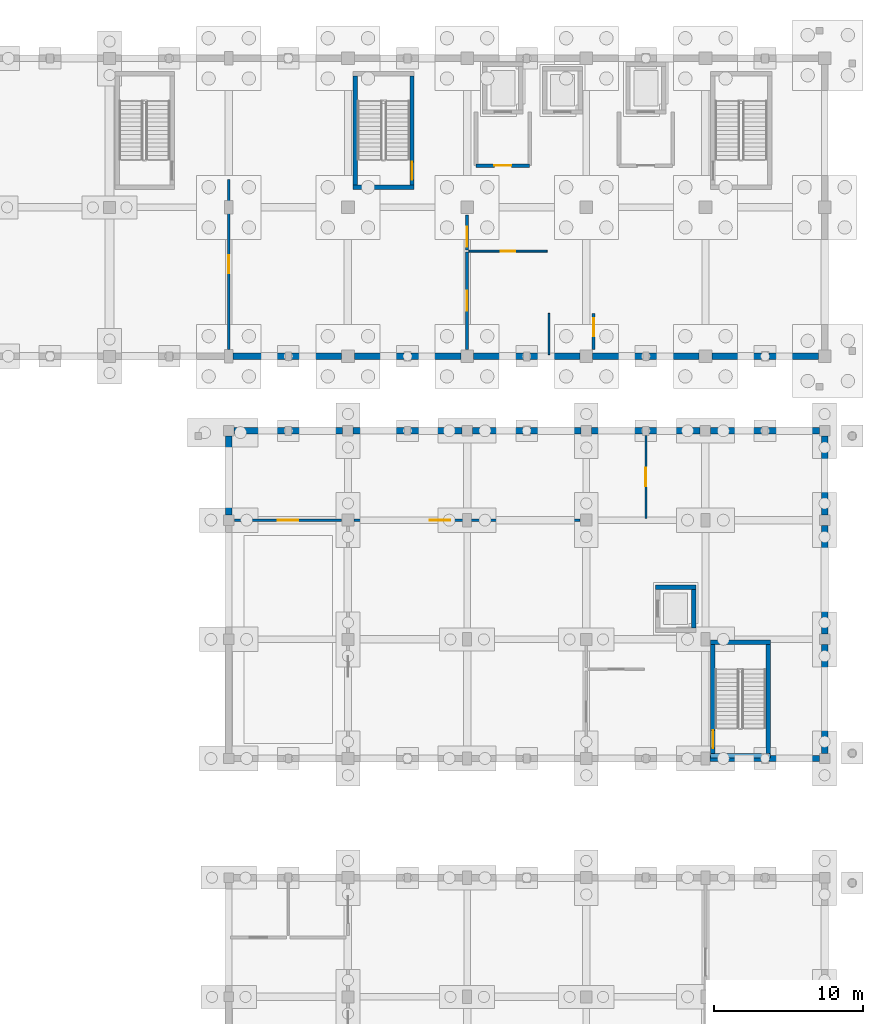
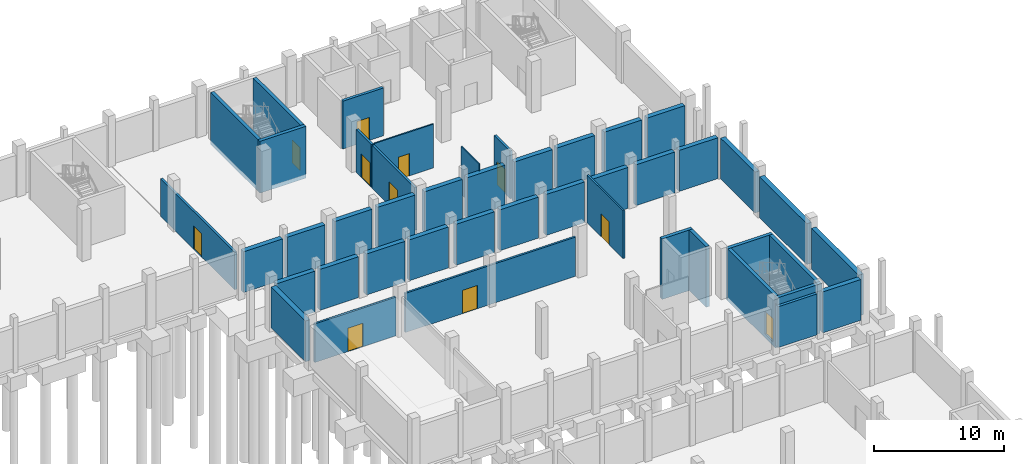
# One storey, part 33 of 52: 45 walls, 11 doors, 11 openings.
"""IFC4 building model written with IfcOpenShell, lengths in metres."""

from ifc_helpers import new_model, si_unit, direction, frame, frame_2d, origin, place, context, subcontext, project, spatial, rectangle, extrude, material, layer, layer_set, type_object, element, fill, save


model = new_model("IFC4")

# Units and contexts
model_context = context("Model", 3, precision=1e-05, world=origin(), true_north=direction((0.0, 1.0)))
body_context = subcontext(model_context, "Body", "Model", "MODEL_VIEW")
ifc_project = project(units=[si_unit("LENGTHUNIT", "METRE"), si_unit("AREAUNIT", "SQUARE_METRE"), si_unit("VOLUMEUNIT", "CUBIC_METRE"), si_unit("PLANEANGLEUNIT", "RADIAN"), si_unit("MASSUNIT", "GRAM", prefix="KILO")], contexts=[model_context])

# Site, building, storey
site_placement = place(None, origin())
site = spatial("IfcSite", under=ifc_project, at=site_placement, CompositionType="ELEMENT")
building_placement = place(site_placement, origin())
building = spatial("IfcBuilding", under=site, at=building_placement, Name="Luwemba Playhouse", CompositionType="ELEMENT")
storey_placement = place(building_placement, frame((0.0, 0.0, -4.800048828125)))
storey = spatial("IfcBuildingStorey", under=building, at=storey_placement, Name="B1", CompositionType="ELEMENT", Elevation=-4.800048828125)

# Walls
ifc_material_1 = material(Name="Concrete C40/50", Category="concrete")
ifc_layer_1 = layer(ifc_material_1, 0.300048828125)
ifc_layer_set_1 = layer_set([ifc_layer_1], Name="Concrete C40/50")
wall_type_1 = type_object("IfcWallType", Name="WAL-CORE-300", PredefinedType="SHEAR", material=ifc_layer_set_1)
wall_1_placement = place(storey_placement, frame((164.35009765625, 68.18994140625, 3.85009765625), z_axis=(0.0, 0.0, 1.0), x_axis=(1.0, 0.0, 0.0)))
element("IfcWall", 1, at=wall_1_placement, inside=storey, type_object=wall_type_1, Name="B1 ST-07 stair core wall S", PredefinedType="SHEAR", context=body_context, shape_type="SweptSolid", body=[
    extrude(rectangle(XDim=4.0, YDim=0.300048828125, at=frame_2d((2.0, 0.0))), origin(), (0.0, 0.0, 1.0), 0.64990234375),
])
wall_2_placement = place(storey_placement, frame((168.35009765625, 75.81005859375, -0.3798828125), z_axis=(0.0, 0.0, 1.0), x_axis=(-1.0, 0.0, 0.0)))
element("IfcWall", 2, at=wall_2_placement, inside=storey, type_object=wall_type_1, Name="B1 ST-07 stair core wall N", PredefinedType="SHEAR", context=body_context, shape_type="SweptSolid", body=[
    extrude(rectangle(XDim=4.0, YDim=0.300048828125, at=frame_2d((2.0, 0.0))), origin(), (0.0, 0.0, 1.0), 4.8798828125),
])

# Wall, opening, door
wall_3_placement = place(storey_placement, frame((164.5, 75.659912109375, -0.3798828125), z_axis=(0.0, 0.0, 1.0), x_axis=(0.0, -1.0, 0.0)))
wall_3 = element("IfcWall", 3, at=wall_3_placement, inside=storey, type_object=wall_type_1, Name="B1 ST-07 stair core wall W", PredefinedType="SHEAR", context=body_context, shape_type="SweptSolid", body=[
    extrude(rectangle(XDim=7.31982421875, YDim=0.300048828125, at=frame_2d((3.659912109375, 0.0))), origin(), (0.0, 0.0, 1.0), 4.8798828125),
])
opening_1_placement = place(wall_3_placement, frame((5.77001953125, 0.0, 0.3798828125)))
opening_1 = element("IfcOpeningElement", 4, at=opening_1_placement, cuts=wall_3, Name="Opening D-STAIR3", PredefinedType="OPENING", context=body_context, shape_type="SweptSolid", body=[
    extrude(rectangle(XDim=1.199951171875, YDim=2.14990234375, at=frame_2d((0.60009765625, 1.074951171875))), frame((0.0, 0.159912109375, 0.0), z_axis=(0.0, -1.0, 0.0), x_axis=(1.0, 0.0, 0.0)), (0.0, 0.0, 1.0), 0.320068359375),
])
ifc_material_2 = material(Name="Hardwood acoustic fire door leaf", Category="wood")
door_type_1 = type_object("IfcDoorType", Name="DR-STAIR-120", OperationType="NOTDEFINED", PredefinedType="DOOR", material=ifc_material_2)
door_1_placement = place(opening_1_placement, origin())
door_1 = element("IfcDoor", 5, at=door_1_placement, inside=storey, type_object=door_type_1, Name="B1 ST-07 protected stair entry door", OperationType="SINGLE_SWING_RIGHT", OverallHeight=2.14990234375, OverallWidth=1.199951171875, PredefinedType="DOOR", context=body_context, shape_type="SweptSolid", body=[
    extrude(rectangle(XDim=1.199951171875, YDim=2.14990234375, at=frame_2d((0.60009765625, 1.074951171875))), frame((0.0, 0.02490234375, 0.0), z_axis=(0.0, -1.0, 0.0), x_axis=(1.0, 0.0, 0.0)), (0.0, 0.0, 1.0), 0.050048828125),
])
fill(opening_1, door_1)

# Walls
wall_4_placement = place(storey_placement, frame((168.199951171875, 75.659912109375, -0.3798828125), z_axis=(0.0, 0.0, 1.0), x_axis=(0.0, -1.0, 0.0)))
element("IfcWall", 6, at=wall_4_placement, inside=storey, type_object=wall_type_1, Name="B1 ST-07 stair core wall E", PredefinedType="SHEAR", context=body_context, shape_type="SweptSolid", body=[
    extrude(rectangle(XDim=7.31982421875, YDim=0.300048828125, at=frame_2d((3.659912109375, 0.0))), origin(), (0.0, 0.0, 1.0), 4.8798828125),
])
wall_5_placement = place(storey_placement, frame((140.35009765625, 106.35009765625, -0.3798828125), z_axis=(0.0, 0.0, 1.0), x_axis=(1.0, 0.0, 0.0)))
element("IfcWall", 7, at=wall_5_placement, inside=storey, type_object=wall_type_1, Name="B1 ST-09 stair core wall S", PredefinedType="SHEAR", context=body_context, shape_type="SweptSolid", body=[
    extrude(rectangle(XDim=4.099853515625, YDim=0.300048828125, at=frame_2d((2.0498046875, 0.0))), origin(), (0.0, 0.0, 1.0), 4.8798828125),
])
wall_6_placement = place(storey_placement, frame((140.5, 106.5, -0.3798828125), z_axis=(0.0, 0.0, 1.0), x_axis=(0.0, 1.0, 0.0)))
element("IfcWall", 8, at=wall_6_placement, inside=storey, type_object=wall_type_1, Name="B1 ST-09 stair core wall W", PredefinedType="SHEAR", context=body_context, shape_type="SweptSolid", body=[
    extrude(rectangle(XDim=7.320068359375, YDim=0.300048828125, at=frame_2d((3.66015625, 0.0))), origin(), (0.0, 0.0, 1.0), 4.8798828125),
])

# Wall, opening, door
wall_7_placement = place(storey_placement, frame((144.300048828125, 106.5, -0.3798828125), z_axis=(0.0, 0.0, 1.0), x_axis=(0.0, 1.0, 0.0)))
wall_7 = element("IfcWall", 9, at=wall_7_placement, inside=storey, type_object=wall_type_1, Name="B1 ST-09 stair core wall E", PredefinedType="SHEAR", context=body_context, shape_type="SweptSolid", body=[
    extrude(rectangle(XDim=7.320068359375, YDim=0.300048828125, at=frame_2d((3.66015625, 0.0))), origin(), (0.0, 0.0, 1.0), 4.8798828125),
])
opening_2_placement = place(wall_7_placement, frame((0.35009765625, 0.0, 0.3798828125)))
opening_2 = element("IfcOpeningElement", 10, at=opening_2_placement, cuts=wall_7, Name="Opening D-STAIR3", PredefinedType="OPENING", context=body_context, shape_type="SweptSolid", body=[
    extrude(rectangle(XDim=1.199951171875, YDim=2.14990234375, at=frame_2d((0.60009765625, 1.074951171875))), frame((0.0, 0.159912109375, 0.0), z_axis=(0.0, -1.0, 0.0), x_axis=(1.0, 0.0, 0.0)), (0.0, 0.0, 1.0), 0.320068359375),
])
door_2_placement = place(opening_2_placement, origin())
door_2 = element("IfcDoor", 11, at=door_2_placement, inside=storey, type_object=door_type_1, Name="B1 ST-09 protected stair entry door", OperationType="SINGLE_SWING_RIGHT", OverallHeight=2.14990234375, OverallWidth=1.199951171875, PredefinedType="DOOR", context=body_context, shape_type="SweptSolid", body=[
    extrude(rectangle(XDim=1.199951171875, YDim=2.14990234375, at=frame_2d((0.60009765625, 1.074951171875))), frame((0.0, 0.02490234375, 0.0), z_axis=(0.0, -1.0, 0.0), x_axis=(1.0, 0.0, 0.0)), (0.0, 0.0, 1.0), 0.050048828125),
])
fill(opening_2, door_2)

# Walls
wall_8_placement = place(storey_placement, frame((163.35009765625, 79.5, -1.199951171875), z_axis=(0.0, 0.0, 1.0), x_axis=(-1.0, 0.0, 0.0)))
element("IfcWall", 12, at=wall_8_placement, inside=storey, type_object=wall_type_1, Name="B1 Lift LF-P7 shaft wall N", PredefinedType="SHEAR", context=body_context, shape_type="SweptSolid", body=[
    extrude(rectangle(XDim=2.7001953125, YDim=0.300048828125, at=frame_2d((1.35009765625, 0.0))), origin(), (0.0, 0.0, 1.0), 5.699951171875),
])
wall_9_placement = place(storey_placement, frame((163.199951171875, 79.35009765625, -1.199951171875), z_axis=(0.0, 0.0, 1.0), x_axis=(0.0, -1.0, 0.0)))
element("IfcWall", 13, at=wall_9_placement, inside=storey, type_object=wall_type_1, Name="B1 Lift LF-P7 shaft wall E", PredefinedType="SHEAR", context=body_context, shape_type="SweptSolid", body=[
    extrude(rectangle(XDim=2.60009765625, YDim=0.300048828125, at=frame_2d((1.300048828125, 0.0))), origin(), (0.0, 0.0, 1.0), 5.699951171875),
])

# Wall, opening, door
ifc_layer_2 = layer(ifc_material_1, 0.25)
ifc_layer_set_2 = layer_set([ifc_layer_2], Name="Concrete C40/50")
wall_type_2 = type_object("IfcWallType", Name="WAL-FFL-250", PredefinedType="SOLIDWALL", material=ifc_layer_set_2)
wall_10_placement = place(storey_placement, frame((152.199951171875, 107.800048828125, 0.0), z_axis=(0.0, 0.0, 1.0), x_axis=(-1.0, 0.0, 0.0)))
wall_10 = element("IfcWall", 14, at=wall_10_placement, inside=storey, type_object=wall_type_2, Name="B1 LF-FF1 firefighting lift lobby wall S", PredefinedType="SOLIDWALL", context=body_context, shape_type="SweptSolid", body=[
    extrude(rectangle(XDim=3.599853515625, YDim=0.25, at=frame_2d((1.7998046875, 0.0))), origin(), (0.0, 0.0, 1.0), 4.5),
])
opening_3_placement = place(wall_10_placement, frame((1.22509765625, 0.0, 0.0)))
opening_3 = element("IfcOpeningElement", 15, at=opening_3_placement, cuts=wall_10, Name="Opening D-FD60", PredefinedType="OPENING", context=body_context, shape_type="SweptSolid", body=[
    extrude(rectangle(XDim=1.14990234375, YDim=2.14990234375, at=frame_2d((0.574951171875, 1.074951171875))), frame((0.0, 0.135009765625, 0.0), z_axis=(0.0, -1.0, 0.0), x_axis=(1.0, 0.0, 0.0)), (0.0, 0.0, 1.0), 0.27001953125),
])
ifc_material_3 = material(Name="Hardwood smoke-sealed fire door leaf", Category="wood")
door_type_2 = type_object("IfcDoorType", Name="DR-FFL-115", OperationType="NOTDEFINED", PredefinedType="DOOR", material=ifc_material_3)
door_3_placement = place(opening_3_placement, origin())
door_3 = element("IfcDoor", 16, at=door_3_placement, inside=storey, type_object=door_type_2, Name="B1 LF-FF1 firefighting lobby smoke door", OperationType="SINGLE_SWING_LEFT", OverallHeight=2.14990234375, OverallWidth=1.14990234375, PredefinedType="DOOR", context=body_context, shape_type="SweptSolid", body=[
    extrude(rectangle(XDim=1.14990234375, YDim=2.14990234375, at=frame_2d((0.574951171875, 1.074951171875))), frame((0.0, 0.02490234375, 0.0), z_axis=(0.0, -1.0, 0.0), x_axis=(1.0, 0.0, 0.0)), (0.0, 0.0, 1.0), 0.050048828125),
])
fill(opening_3, door_3)

ifc_material_4 = material(Name="Moisture-resistant sanitary partition", Category="gypsum")
ifc_layer_3 = layer(ifc_material_4, 0.1201171875)
ifc_layer_set_3 = layer_set([ifc_layer_3], Name="Moisture-resistant sanitary partition")
wall_type_3 = type_object("IfcWallType", Name="WAL-INT-120", PredefinedType="PARTITIONING", material=ifc_layer_set_3)
wall_11_placement = place(storey_placement, frame((148.1201171875, 102.06005859375, 0.0), z_axis=(0.0, 0.0, 1.0), x_axis=(1.0, 0.0, 0.0)))
wall_11 = element("IfcWall", 17, at=wall_11_placement, inside=storey, type_object=wall_type_3, Name="B1 V6E interior partition 0055", PredefinedType="PARTITIONING", context=body_context, shape_type="SweptSolid", body=[
    extrude(rectangle(XDim=5.259765625, YDim=0.1201171875, at=frame_2d((2.6298828125, 0.0))), origin(), (0.0, 0.0, 1.0), 4.125),
])
opening_4_placement = place(wall_11_placement, frame((2.155029296875, 0.0, 0.0)))
opening_4 = element("IfcOpeningElement", 18, at=opening_4_placement, cuts=wall_11, Name="Opening D-WC1", PredefinedType="OPENING", context=body_context, shape_type="SweptSolid", body=[
    extrude(rectangle(XDim=0.949951171875, YDim=2.10009765625, at=frame_2d((0.47509765625, 1.050048828125))), frame((0.0, 0.070068359375, 0.0), z_axis=(0.0, -1.0, 0.0), x_axis=(1.0, 0.0, 0.0)), (0.0, 0.0, 1.0), 0.14013671875),
])
ifc_material_5 = material(Name="Moisture-resistant laminate door", Category="wood")
door_type_3 = type_object("IfcDoorType", Name="DR-WC-095", OperationType="NOTDEFINED", PredefinedType="DOOR", material=ifc_material_5)
door_4_placement = place(opening_4_placement, origin())
door_4 = element("IfcDoor", 19, at=door_4_placement, inside=storey, type_object=door_type_3, Name="B1 Conservatory Basement Corridor to Conservatory Basement Toilets door", OperationType="SINGLE_SWING_RIGHT", OverallHeight=2.10009765625, OverallWidth=0.949951171875, PredefinedType="DOOR", context=body_context, shape_type="SweptSolid", body=[
    extrude(rectangle(XDim=0.949951171875, YDim=2.10009765625, at=frame_2d((0.47509765625, 1.050048828125))), frame((0.0, 0.02490234375, 0.0), z_axis=(0.0, -1.0, 0.0), x_axis=(1.0, 0.0, 0.0)), (0.0, 0.0, 1.0), 0.050048828125),
])
fill(opening_4, door_4)

# Wall
wall_12_placement = place(storey_placement, frame((153.5, 95.1201171875, 0.0), z_axis=(0.0, 0.0, 1.0), x_axis=(0.0, 1.0, 0.0)))
element("IfcWall", 20, at=wall_12_placement, inside=storey, type_object=wall_type_3, Name="B1 V6E interior partition 0057", PredefinedType="PARTITIONING", context=body_context, shape_type="SweptSolid", body=[
    extrude(rectangle(XDim=2.759765625, YDim=0.1201171875, at=frame_2d((1.3798828125, 0.0))), origin(), (0.0, 0.0, 1.0), 4.5),
])

# Wall, opening, door
ifc_material_6 = material(Name="Acoustic gypsum stud partition", Category="gypsum")
ifc_layer_4 = layer(ifc_material_6, 0.14990234375)
ifc_layer_set_4 = layer_set([ifc_layer_4], Name="Acoustic gypsum stud partition")
wall_type_4 = type_object("IfcWallType", Name="WAL-INT-150", PredefinedType="PARTITIONING", material=ifc_layer_set_4)
wall_13_placement = place(storey_placement, frame((160.0, 84.1201171875, 0.0), z_axis=(0.0, 0.0, 1.0), x_axis=(0.0, 1.0, 0.0)))
wall_13 = element("IfcWall", 21, at=wall_13_placement, inside=storey, type_object=wall_type_4, Name="B1 V4 interior partition 0036", PredefinedType="PARTITIONING", context=body_context, shape_type="SweptSolid", body=[
    extrude(rectangle(XDim=5.559814453125, YDim=0.14990234375, at=frame_2d((2.77978515625, 0.0))), origin(), (0.0, 0.0, 1.0), 4.5),
])
opening_5_placement = place(wall_13_placement, frame((2.155029296875, 0.0, 0.0)))
opening_5 = element("IfcOpeningElement", 22, at=opening_5_placement, cuts=wall_13, Name="Opening D-IN1", PredefinedType="OPENING", context=body_context, shape_type="SweptSolid", body=[
    extrude(rectangle(XDim=1.25, YDim=2.14990234375, at=frame_2d((0.625, 1.074951171875))), frame((0.0, 0.0849609375, 0.0), z_axis=(0.0, -1.0, 0.0), x_axis=(1.0, 0.0, 0.0)), (0.0, 0.0, 1.0), 0.169921875),
])
ifc_material_7 = material(Name="Solid hardwood interior door", Category="wood")
door_type_4 = type_object("IfcDoorType", Name="DR-INT-125", OperationType="NOTDEFINED", PredefinedType="DOOR", material=ifc_material_7)
door_5_placement = place(opening_5_placement, origin())
door_5 = element("IfcDoor", 23, at=door_5_placement, inside=storey, type_object=door_type_4, Name="B1 Experimental Studios Basement Corridor to Lighting and Projection Rig Store door", OperationType="SINGLE_SWING_LEFT", OverallHeight=2.14990234375, OverallWidth=1.25, PredefinedType="DOOR", context=body_context, shape_type="SweptSolid", body=[
    extrude(rectangle(XDim=1.25, YDim=2.14990234375, at=frame_2d((0.625, 1.074951171875))), frame((0.0, 0.02490234375, 0.0), z_axis=(0.0, -1.0, 0.0), x_axis=(1.0, 0.0, 0.0)), (0.0, 0.0, 1.0), 0.050048828125),
])
fill(opening_5, door_5)

ifc_material_8 = material(Name="Double-stud acoustic gypsum partition", Category="gypsum")
ifc_layer_5 = layer(ifc_material_8, 0.179931640625)
ifc_layer_set_5 = layer_set([ifc_layer_5], Name="Double-stud acoustic gypsum partition")
wall_type_5 = type_object("IfcWallType", Name="WAL-INT-180", PredefinedType="PARTITIONING", material=ifc_layer_set_5)
wall_14_placement = place(storey_placement, frame((140.419921875, 84.0, 0.0), z_axis=(0.0, 0.0, 1.0), x_axis=(1.0, 0.0, 0.0)))
wall_14 = element("IfcWall", 24, at=wall_14_placement, inside=storey, type_object=wall_type_5, Name="B1 V4 interior partition 0032", PredefinedType="PARTITIONING", context=body_context, shape_type="SweptSolid", body=[
    extrude(rectangle(XDim=15.16015625, YDim=0.179931640625, at=frame_2d((7.580078125, 0.0))), origin(), (0.0, 0.0, 1.0), 3.68505859375),
])
opening_6_placement = place(wall_14_placement, frame((5.085693359375, 0.0, 0.0)))
opening_6 = element("IfcOpeningElement", 25, at=opening_6_placement, cuts=wall_14, Name="Opening D-STU1", PredefinedType="OPENING", context=body_context, shape_type="SweptSolid", body=[
    extrude(rectangle(XDim=1.35009765625, YDim=2.199951171875, at=frame_2d((0.675048828125, 1.10009765625))), frame((0.0, 0.099853515625, 0.0), z_axis=(0.0, -1.0, 0.0), x_axis=(1.0, 0.0, 0.0)), (0.0, 0.0, 1.0), 0.199951171875),
])
ifc_material_9 = material(Name="Acoustic studio door", Category="wood")
door_type_5 = type_object("IfcDoorType", Name="DR-STU-135", OperationType="NOTDEFINED", PredefinedType="DOOR", material=ifc_material_9)
door_6_placement = place(opening_6_placement, origin())
door_6 = element("IfcDoor", 26, at=door_6_placement, inside=storey, type_object=door_type_5, Name="B1 Cinema Foley and Dubbing Stage to Experimental Studios Basement Corridor door", OperationType="SINGLE_SWING_RIGHT", OverallHeight=2.199951171875, OverallWidth=1.35009765625, PredefinedType="DOOR", context=body_context, shape_type="SweptSolid", body=[
    extrude(rectangle(XDim=1.35009765625, YDim=2.199951171875, at=frame_2d((0.675048828125, 1.10009765625))), frame((0.0, 0.02490234375, 0.0), z_axis=(0.0, -1.0, 0.0), x_axis=(1.0, 0.0, 0.0)), (0.0, 0.0, 1.0), 0.050048828125),
])
fill(opening_6, door_6)

wall_15_placement = place(storey_placement, frame((132.3701171875, 84.0, 0.0), z_axis=(0.0, 0.0, 1.0), x_axis=(1.0, 0.0, 0.0)))
wall_15 = element("IfcWall", 27, at=wall_15_placement, inside=storey, type_object=wall_type_5, Name="B1 V4 interior partition 0035", PredefinedType="PARTITIONING", context=body_context, shape_type="SweptSolid", body=[
    extrude(rectangle(XDim=7.2099609375, YDim=0.179931640625, at=frame_2d((3.60498046875, 0.0))), origin(), (0.0, 0.0, 1.0), 3.635009765625),
])
opening_7_placement = place(wall_15_placement, frame((2.929931640625, 0.0, 0.0)))
opening_7 = element("IfcOpeningElement", 28, at=opening_7_placement, cuts=wall_15, Name="Opening D-STU1", PredefinedType="OPENING", context=body_context, shape_type="SweptSolid", body=[
    extrude(rectangle(XDim=1.35009765625, YDim=2.199951171875, at=frame_2d((0.675048828125, 1.10009765625))), frame((0.0, 0.099853515625, 0.0), z_axis=(0.0, -1.0, 0.0), x_axis=(1.0, 0.0, 0.0)), (0.0, 0.0, 1.0), 0.199951171875),
])
door_7_placement = place(opening_7_placement, origin())
door_7 = element("IfcDoor", 29, at=door_7_placement, inside=storey, type_object=door_type_5, Name="B1 Multi-Track Music Recording Studio to Experimental Studios Basement Corridor door", OperationType="SINGLE_SWING_RIGHT", OverallHeight=2.199951171875, OverallWidth=1.35009765625, PredefinedType="DOOR", context=body_context, shape_type="SweptSolid", body=[
    extrude(rectangle(XDim=1.35009765625, YDim=2.199951171875, at=frame_2d((0.675048828125, 1.10009765625))), frame((0.0, 0.02490234375, 0.0), z_axis=(0.0, -1.0, 0.0), x_axis=(1.0, 0.0, 0.0)), (0.0, 0.0, 1.0), 0.050048828125),
])
fill(opening_7, door_7)

ifc_material_10 = material(Name="Clay acoustic masonry blockwork", Category="masonry")
ifc_layer_6 = layer(ifc_material_10, 0.199951171875)
ifc_layer_set_6 = layer_set([ifc_layer_6], Name="Clay acoustic masonry blockwork")
wall_type_6 = type_object("IfcWallType", Name="WAL-INT-200", PredefinedType="PARTITIONING", material=ifc_layer_set_6)
wall_16_placement = place(storey_placement, frame((132.0, 95.469970703125, 0.0), z_axis=(0.0, 0.0, 1.0), x_axis=(0.0, 1.0, 0.0)))
wall_16 = element("IfcWall", 30, at=wall_16_placement, inside=storey, type_object=wall_type_6, Name="B1 V6E interior partition 0052", PredefinedType="PARTITIONING", context=body_context, shape_type="SweptSolid", body=[
    extrude(rectangle(XDim=11.409912109375, YDim=0.199951171875, at=frame_2d((5.705078125, 0.0))), origin(), (0.0, 0.0, 1.0), 3.53515625),
])
opening_8_placement = place(wall_16_placement, frame((5.10498046875, 0.0, 0.0)))
opening_8 = element("IfcOpeningElement", 31, at=opening_8_placement, cuts=wall_16, Name="Opening D-FD120", PredefinedType="OPENING", context=body_context, shape_type="SweptSolid", body=[
    extrude(rectangle(XDim=1.199951171875, YDim=2.199951171875, at=frame_2d((0.60009765625, 1.10009765625))), frame((0.0, 0.10986328125, 0.0), z_axis=(0.0, -1.0, 0.0), x_axis=(1.0, 0.0, 0.0)), (0.0, 0.0, 1.0), 0.219970703125),
])
ifc_material_11 = material(Name="Steel-core fire command door leaf", Category="steel")
door_type_6 = type_object("IfcDoorType", Name="DR-FCC-120", OperationType="NOTDEFINED", PredefinedType="DOOR", material=ifc_material_11)
door_8_placement = place(opening_8_placement, origin())
door_8 = element("IfcDoor", 32, at=door_8_placement, inside=storey, type_object=door_type_6, Name="B1 Central Water-Cooled Acoustic Chiller Plant to Historic Costume and Scenery Vault door", OperationType="SINGLE_SWING_LEFT", OverallHeight=2.199951171875, OverallWidth=1.199951171875, PredefinedType="DOOR", context=body_context, shape_type="SweptSolid", body=[
    extrude(rectangle(XDim=1.199951171875, YDim=2.199951171875, at=frame_2d((0.60009765625, 1.10009765625))), frame((0.0, 0.02490234375, 0.0), z_axis=(0.0, -1.0, 0.0), x_axis=(1.0, 0.0, 0.0)), (0.0, 0.0, 1.0), 0.050048828125),
])
fill(opening_8, door_8)

wall_17_placement = place(storey_placement, frame((148.0, 102.1201171875, 0.0), z_axis=(0.0, 0.0, 1.0), x_axis=(0.0, 1.0, 0.0)))
wall_17 = element("IfcWall", 33, at=wall_17_placement, inside=storey, type_object=wall_type_6, Name="B1 V6E interior partition 0053", PredefinedType="PARTITIONING", context=body_context, shape_type="SweptSolid", body=[
    extrude(rectangle(XDim=2.35986328125, YDim=0.199951171875, at=frame_2d((1.179931640625, 0.0))), origin(), (0.0, 0.0, 1.0), 4.03515625),
])
opening_9_placement = place(wall_17_placement, frame((0.2216796875, 0.0, 0.0)))
opening_9 = element("IfcOpeningElement", 34, at=opening_9_placement, cuts=wall_17, Name="Opening D-STU1", PredefinedType="OPENING", context=body_context, shape_type="SweptSolid", body=[
    extrude(rectangle(XDim=1.35009765625, YDim=2.199951171875, at=frame_2d((0.675048828125, 1.10009765625))), frame((0.0, 0.10986328125, 0.0), z_axis=(0.0, -1.0, 0.0), x_axis=(1.0, 0.0, 0.0)), (0.0, 0.0, 1.0), 0.219970703125),
])
door_9_placement = place(opening_9_placement, origin())
door_9 = element("IfcDoor", 35, at=door_9_placement, inside=storey, type_object=door_type_5, Name="B1 Historic Costume and Scenery Vault to Conservatory Basement Corridor door", OperationType="SINGLE_SWING_RIGHT", OverallHeight=2.199951171875, OverallWidth=1.35009765625, PredefinedType="DOOR", context=body_context, shape_type="SweptSolid", body=[
    extrude(rectangle(XDim=1.35009765625, YDim=2.199951171875, at=frame_2d((0.675048828125, 1.10009765625))), frame((0.0, 0.02490234375, 0.0), z_axis=(0.0, -1.0, 0.0), x_axis=(1.0, 0.0, 0.0)), (0.0, 0.0, 1.0), 0.050048828125),
])
fill(opening_9, door_9)

wall_18_placement = place(storey_placement, frame((148.0, 95.445068359375, 0.0), z_axis=(0.0, 0.0, 1.0), x_axis=(0.0, 1.0, 0.0)))
wall_18 = element("IfcWall", 36, at=wall_18_placement, inside=storey, type_object=wall_type_6, Name="B1 V6E interior partition 0054", PredefinedType="PARTITIONING", context=body_context, shape_type="SweptSolid", body=[
    extrude(rectangle(XDim=6.554931640625, YDim=0.199951171875, at=frame_2d((3.27734375, 0.0))), origin(), (0.0, 0.0, 1.0), 4.03515625),
])
opening_10_placement = place(wall_18_placement, frame((2.6025390625, 0.0, 0.0)))
opening_10 = element("IfcOpeningElement", 37, at=opening_10_placement, cuts=wall_18, Name="Opening D-STU1", PredefinedType="OPENING", context=body_context, shape_type="SweptSolid", body=[
    extrude(rectangle(XDim=1.35009765625, YDim=2.199951171875, at=frame_2d((0.675048828125, 1.10009765625))), frame((0.0, 0.10986328125, 0.0), z_axis=(0.0, -1.0, 0.0), x_axis=(1.0, 0.0, 0.0)), (0.0, 0.0, 1.0), 0.219970703125),
])
door_10_placement = place(opening_10_placement, origin())
door_10 = element("IfcDoor", 38, at=door_10_placement, inside=storey, type_object=door_type_5, Name="B1 Historic Costume and Scenery Vault to Conservatory Basement Toilets door", OperationType="SINGLE_SWING_LEFT", OverallHeight=2.199951171875, OverallWidth=1.35009765625, PredefinedType="DOOR", context=body_context, shape_type="SweptSolid", body=[
    extrude(rectangle(XDim=1.35009765625, YDim=2.199951171875, at=frame_2d((0.675048828125, 1.10009765625))), frame((0.0, 0.02490234375, 0.0), z_axis=(0.0, -1.0, 0.0), x_axis=(1.0, 0.0, 0.0)), (0.0, 0.0, 1.0), 0.050048828125),
])
fill(opening_10, door_10)

wall_19_placement = place(storey_placement, frame((156.5, 95.445068359375, 0.0), z_axis=(0.0, 0.0, 1.0), x_axis=(0.0, 1.0, 0.0)))
wall_19 = element("IfcWall", 39, at=wall_19_placement, inside=storey, type_object=wall_type_6, Name="B1 V6E interior partition 0056", PredefinedType="PARTITIONING", context=body_context, shape_type="SweptSolid", body=[
    extrude(rectangle(XDim=2.434814453125, YDim=0.199951171875, at=frame_2d((1.21728515625, 0.0))), origin(), (0.0, 0.0, 1.0), 4.5),
])
opening_11_placement = place(wall_19_placement, frame((0.90966796875, 0.0, 0.0)))
opening_11 = element("IfcOpeningElement", 40, at=opening_11_placement, cuts=wall_19, Name="Opening D-FD120", PredefinedType="OPENING", context=body_context, shape_type="SweptSolid", body=[
    extrude(rectangle(XDim=1.199951171875, YDim=2.199951171875, at=frame_2d((0.60009765625, 1.10009765625))), frame((0.0, 0.10986328125, 0.0), z_axis=(0.0, -1.0, 0.0), x_axis=(1.0, 0.0, 0.0)), (0.0, 0.0, 1.0), 0.219970703125),
])
door_11_placement = place(opening_11_placement, origin())
door_11 = element("IfcDoor", 41, at=door_11_placement, inside=storey, type_object=door_type_6, Name="B1 Rainwater Harvesting Filtration Plant to Conservatory Basement Accessible WC door", OperationType="SINGLE_SWING_LEFT", OverallHeight=2.199951171875, OverallWidth=1.199951171875, PredefinedType="DOOR", context=body_context, shape_type="SweptSolid", body=[
    extrude(rectangle(XDim=1.199951171875, YDim=2.199951171875, at=frame_2d((0.60009765625, 1.10009765625))), frame((0.0, 0.02490234375, 0.0), z_axis=(0.0, -1.0, 0.0), x_axis=(1.0, 0.0, 0.0)), (0.0, 0.0, 1.0), 0.050048828125),
])
fill(opening_11, door_11)

# Walls
ifc_material_12 = material(Name="Concrete C32/40", Category="concrete")
ifc_layer_7 = layer(ifc_material_12, 0.419921875)
ifc_layer_set_7 = layer_set([ifc_layer_7], Name="Concrete C32/40")
wall_type_7 = type_object("IfcWallType", Name="WAL-RET-420", PredefinedType="USERDEFINED", material=ifc_layer_set_7)
wall_20_placement = place(storey_placement, frame((132.0, 84.35009765625, 0.0), z_axis=(0.0, 0.0, 1.0), x_axis=(0.0, 1.0, 0.0)))
element("IfcWall", 42, at=wall_20_placement, inside=storey, type_object=wall_type_7, Name="Basement retaining wall 065", ObjectType="RETAINING WALL", PredefinedType="USERDEFINED", context=body_context, shape_type="SweptSolid", body=[
    extrude(rectangle(XDim=5.2998046875, YDim=0.419921875, at=frame_2d((2.64990234375, 0.0))), origin(), (0.0, 0.0, 1.0), 3.85009765625),
])
for number, where, z_axis, x_axis, name in (
    (43, (132.35009765625, 90.0, 0.0), (0.0, 0.0, 1.0), (1.0, 0.0, 0.0), "Basement retaining wall 066"),
    (44, (136.22509765625, 90.0, 0.0), (0.0, 0.0, 1.0), (1.0, 0.0, 0.0), "Basement retaining wall 067"),
):
    element("IfcWall", number, at=place(storey_placement, frame(where, z_axis=z_axis, x_axis=x_axis)), inside=storey, type_object=wall_type_7, Name=name, ObjectType="RETAINING WALL", PredefinedType="USERDEFINED", context=body_context, shape_type="SweptSolid", body=[
        extrude(rectangle(XDim=3.4248046875, YDim=0.419921875, at=frame_2d((1.71240234375, 0.0))), origin(), (0.0, 0.0, 1.0), 3.85009765625),
    ])
for number, where, z_axis, x_axis, name in (
    (45, (140.35009765625, 90.0, 0.0), (0.0, 0.0, 1.0), (1.0, 0.0, 0.0), "Basement retaining wall 068"),
    (46, (144.199951171875, 90.0, 0.0), (0.0, 0.0, 1.0), (1.0, 0.0, 0.0), "Basement retaining wall 069"),
):
    element("IfcWall", number, at=place(storey_placement, frame(where, z_axis=z_axis, x_axis=x_axis)), inside=storey, type_object=wall_type_7, Name=name, ObjectType="RETAINING WALL", PredefinedType="USERDEFINED", context=body_context, shape_type="SweptSolid", body=[
        extrude(rectangle(XDim=3.449951171875, YDim=0.419921875, at=frame_2d((1.72509765625, 0.0))), origin(), (0.0, 0.0, 1.0), 3.85009765625),
    ])
for number, where, z_axis, x_axis, name in (
    (47, (148.35009765625, 90.0, 0.0), (0.0, 0.0, 1.0), (1.0, 0.0, 0.0), "Basement retaining wall 070"),
    (48, (152.25, 90.0, 0.0), (0.0, 0.0, 1.0), (1.0, 0.0, 0.0), "Basement retaining wall 071"),
):
    element("IfcWall", number, at=place(storey_placement, frame(where, z_axis=z_axis, x_axis=x_axis)), inside=storey, type_object=wall_type_7, Name=name, ObjectType="RETAINING WALL", PredefinedType="USERDEFINED", context=body_context, shape_type="SweptSolid", body=[
        extrude(rectangle(XDim=3.39990234375, YDim=0.419921875, at=frame_2d((1.699951171875, 0.0))), origin(), (0.0, 0.0, 1.0), 3.85009765625),
    ])
for number, where, z_axis, x_axis, name in (
    (49, (156.35009765625, 90.0, 0.0), (0.0, 0.0, 1.0), (1.0, 0.0, 0.0), "Basement retaining wall 072"),
    (50, (160.22509765625, 90.0, 0.0), (0.0, 0.0, 1.0), (1.0, 0.0, 0.0), "Basement retaining wall 073"),
):
    element("IfcWall", number, at=place(storey_placement, frame(where, z_axis=z_axis, x_axis=x_axis)), inside=storey, type_object=wall_type_7, Name=name, ObjectType="RETAINING WALL", PredefinedType="USERDEFINED", context=body_context, shape_type="SweptSolid", body=[
        extrude(rectangle(XDim=3.4248046875, YDim=0.419921875, at=frame_2d((1.71240234375, 0.0))), origin(), (0.0, 0.0, 1.0), 3.85009765625),
    ])
for number, where, z_axis, x_axis, name in (
    (51, (164.35009765625, 90.0, 0.0), (0.0, 0.0, 1.0), (1.0, 0.0, 0.0), "Basement retaining wall 074"),
    (52, (168.199951171875, 90.0, 0.0), (0.0, 0.0, 1.0), (1.0, 0.0, 0.0), "Basement retaining wall 075"),
):
    element("IfcWall", number, at=place(storey_placement, frame(where, z_axis=z_axis, x_axis=x_axis)), inside=storey, type_object=wall_type_7, Name=name, ObjectType="RETAINING WALL", PredefinedType="USERDEFINED", context=body_context, shape_type="SweptSolid", body=[
        extrude(rectangle(XDim=3.449951171875, YDim=0.419921875, at=frame_2d((1.72509765625, 0.0))), origin(), (0.0, 0.0, 1.0), 3.85009765625),
    ])
wall_21_placement = place(storey_placement, frame((172.0, 89.64990234375, 0.0), z_axis=(0.0, 0.0, 1.0), x_axis=(0.0, -1.0, 0.0)))
element("IfcWall", 53, at=wall_21_placement, inside=storey, type_object=wall_type_7, Name="Basement retaining wall 076", ObjectType="RETAINING WALL", PredefinedType="USERDEFINED", context=body_context, shape_type="SweptSolid", body=[
    extrude(rectangle(XDim=5.2998046875, YDim=0.419921875, at=frame_2d((2.64990234375, 0.0))), origin(), (0.0, 0.0, 1.0), 3.85009765625),
])
for number, where, z_axis, x_axis, name in (
    (54, (172.0, 83.64990234375, 0.0), (0.0, 0.0, 1.0), (0.0, -1.0, 0.0), "Basement retaining wall 077"),
    (55, (172.0, 75.64990234375, 0.0), (0.0, 0.0, 1.0), (0.0, -1.0, 0.0), "Basement retaining wall 078"),
):
    element("IfcWall", number, at=place(storey_placement, frame(where, z_axis=z_axis, x_axis=x_axis)), inside=storey, type_object=wall_type_7, Name=name, ObjectType="RETAINING WALL", PredefinedType="USERDEFINED", context=body_context, shape_type="SweptSolid", body=[
        extrude(rectangle(XDim=7.2998046875, YDim=0.419921875, at=frame_2d((3.64990234375, 0.0))), origin(), (0.0, 0.0, 1.0), 3.85009765625),
    ])
wall_22_placement = place(storey_placement, frame((171.64990234375, 68.0, 0.0), z_axis=(0.0, 0.0, 1.0), x_axis=(-1.0, 0.0, 0.0)))
element("IfcWall", 56, at=wall_22_placement, inside=storey, type_object=wall_type_7, Name="Basement retaining wall 079", ObjectType="RETAINING WALL", PredefinedType="USERDEFINED", context=body_context, shape_type="SweptSolid", body=[
    extrude(rectangle(XDim=3.39990234375, YDim=0.419921875, at=frame_2d((1.699951171875, 0.0))), origin(), (0.0, 0.0, 1.0), 3.85009765625),
])
wall_23_placement = place(storey_placement, frame((167.75, 68.0, 0.0), z_axis=(0.0, 0.0, 1.0), x_axis=(-1.0, 0.0, 0.0)))
element("IfcWall", 57, at=wall_23_placement, inside=storey, type_object=wall_type_7, Name="Basement retaining wall 080", ObjectType="RETAINING WALL", PredefinedType="USERDEFINED", context=body_context, shape_type="SweptSolid", body=[
    extrude(rectangle(XDim=3.449951171875, YDim=0.419921875, at=frame_2d((1.72509765625, 0.0))), origin(), (0.0, 0.0, 1.0), 3.85009765625),
])
for number, where, z_axis, x_axis, name in (
    (58, (171.574951171875, 95.0, 0.0), (0.0, 0.0, 1.0), (-1.0, 0.0, 0.0), "Basement retaining wall 204"),
    (59, (167.75, 95.0, 0.0), (0.0, 0.0, 1.0), (-1.0, 0.0, 0.0), "Basement retaining wall 205"),
):
    element("IfcWall", number, at=place(storey_placement, frame(where, z_axis=z_axis, x_axis=x_axis)), inside=storey, type_object=wall_type_7, Name=name, ObjectType="RETAINING WALL", PredefinedType="USERDEFINED", context=body_context, shape_type="SweptSolid", body=[
        extrude(rectangle(XDim=3.324951171875, YDim=0.419921875, at=frame_2d((1.66259765625, 0.0))), origin(), (0.0, 0.0, 1.0), 3.85009765625),
    ])
for number, where, z_axis, x_axis, name in (
    (60, (163.574951171875, 95.0, 0.0), (0.0, 0.0, 1.0), (-1.0, 0.0, 0.0), "Basement retaining wall 206"),
    (61, (159.800048828125, 95.0, 0.0), (0.0, 0.0, 1.0), (-1.0, 0.0, 0.0), "Basement retaining wall 207"),
):
    element("IfcWall", number, at=place(storey_placement, frame(where, z_axis=z_axis, x_axis=x_axis)), inside=storey, type_object=wall_type_7, Name=name, ObjectType="RETAINING WALL", PredefinedType="USERDEFINED", context=body_context, shape_type="SweptSolid", body=[
        extrude(rectangle(XDim=3.375, YDim=0.419921875, at=frame_2d((1.6875, 0.0))), origin(), (0.0, 0.0, 1.0), 3.85009765625),
    ])
for number, where, z_axis, x_axis, name in (
    (62, (155.574951171875, 95.0, 0.0), (0.0, 0.0, 1.0), (-1.0, 0.0, 0.0), "Basement retaining wall 208"),
    (63, (151.77490234375, 95.0, 0.0), (0.0, 0.0, 1.0), (-1.0, 0.0, 0.0), "Basement retaining wall 209"),
):
    element("IfcWall", number, at=place(storey_placement, frame(where, z_axis=z_axis, x_axis=x_axis)), inside=storey, type_object=wall_type_7, Name=name, ObjectType="RETAINING WALL", PredefinedType="USERDEFINED", context=body_context, shape_type="SweptSolid", body=[
        extrude(rectangle(XDim=3.349853515625, YDim=0.419921875, at=frame_2d((1.6748046875, 0.0))), origin(), (0.0, 0.0, 1.0), 3.85009765625),
    ])
for number, where, z_axis, x_axis, name in (
    (64, (147.574951171875, 95.0, 0.0), (0.0, 0.0, 1.0), (-1.0, 0.0, 0.0), "Basement retaining wall 210"),
    (65, (143.75, 95.0, 0.0), (0.0, 0.0, 1.0), (-1.0, 0.0, 0.0), "Basement retaining wall 211"),
):
    element("IfcWall", number, at=place(storey_placement, frame(where, z_axis=z_axis, x_axis=x_axis)), inside=storey, type_object=wall_type_7, Name=name, ObjectType="RETAINING WALL", PredefinedType="USERDEFINED", context=body_context, shape_type="SweptSolid", body=[
        extrude(rectangle(XDim=3.324951171875, YDim=0.419921875, at=frame_2d((1.66259765625, 0.0))), origin(), (0.0, 0.0, 1.0), 3.85009765625),
    ])
wall_24_placement = place(storey_placement, frame((139.574951171875, 95.0, 0.0), z_axis=(0.0, 0.0, 1.0), x_axis=(-1.0, 0.0, 0.0)))
element("IfcWall", 66, at=wall_24_placement, inside=storey, type_object=wall_type_7, Name="Basement retaining wall 212", ObjectType="RETAINING WALL", PredefinedType="USERDEFINED", context=body_context, shape_type="SweptSolid", body=[
    extrude(rectangle(XDim=3.375, YDim=0.419921875, at=frame_2d((1.6875, 0.0))), origin(), (0.0, 0.0, 1.0), 3.85009765625),
])
wall_25_placement = place(storey_placement, frame((135.800048828125, 95.0, 0.0), z_axis=(0.0, 0.0, 1.0), x_axis=(-1.0, 0.0, 0.0)))
element("IfcWall", 67, at=wall_25_placement, inside=storey, type_object=wall_type_7, Name="Basement retaining wall 213", ObjectType="RETAINING WALL", PredefinedType="USERDEFINED", context=body_context, shape_type="SweptSolid", body=[
    extrude(rectangle(XDim=3.5, YDim=0.419921875, at=frame_2d((1.75, 0.0))), origin(), (0.0, 0.0, 1.0), 3.85009765625),
])

save(model, "model.ifc")
